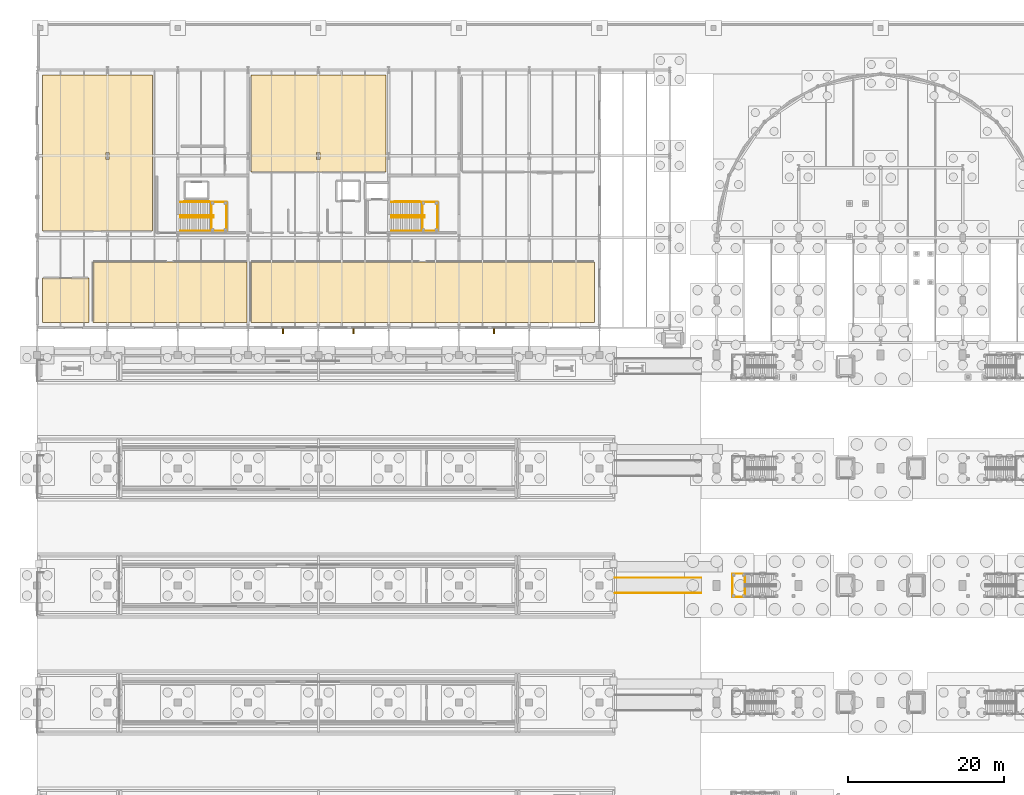
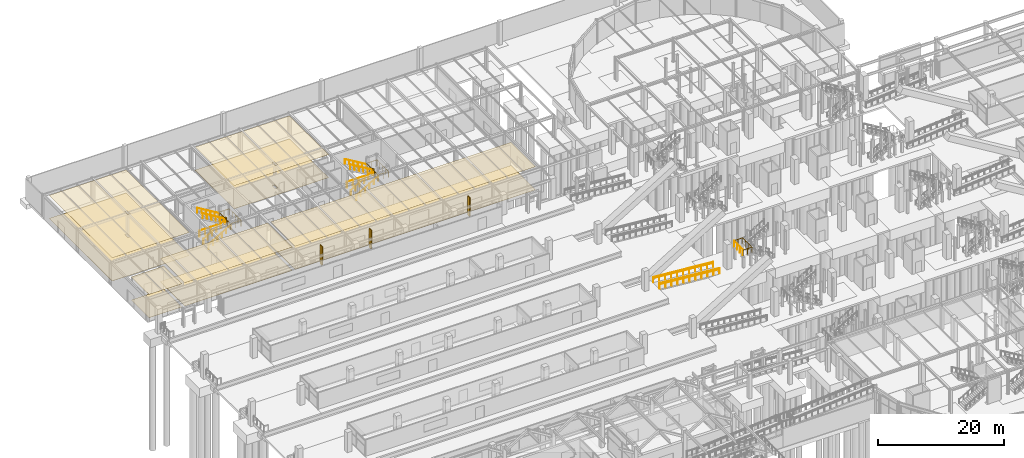
# One storey, part 155 of 160: 20 railings, 10 coverings, 3 shading devices.
"""IFC4 building model written with IfcOpenShell, lengths in metres."""

from ifc_helpers import new_model, si_unit, direction, frame, origin, origin_2d, place, context, subcontext, project, spatial, polyline, rectangle, circle, outline, extrude, material, layer, layer_set, type_object, element, save


model = new_model("IFC4")

# Units and contexts
model_context = context("Model", 3, precision=1e-05, world=origin(), true_north=direction((0.0, 1.0)))
body_context = subcontext(model_context, "Body", "Model", "MODEL_VIEW")
ifc_project = project(units=[si_unit("LENGTHUNIT", "METRE"), si_unit("AREAUNIT", "SQUARE_METRE"), si_unit("VOLUMEUNIT", "CUBIC_METRE"), si_unit("PLANEANGLEUNIT", "RADIAN"), si_unit("MASSUNIT", "GRAM", prefix="KILO")], contexts=[model_context])

# Site, building, storey
site_placement = place(None, origin())
site = spatial("IfcSite", under=ifc_project, at=site_placement, CompositionType="ELEMENT")
building_placement = place(site_placement, origin())
building = spatial("IfcBuilding", under=site, at=building_placement, Name="Marlcrest Central Station", CompositionType="ELEMENT")
storey_placement = place(building_placement, origin())
storey = spatial("IfcBuildingStorey", under=building, at=storey_placement, Name="L00", CompositionType="ELEMENT", Elevation=0.0)

# Coverings
ifc_material_1 = material(Name="Perforated acoustic mineral-fibre ceiling")
ifc_layer_1 = layer(ifc_material_1, 0.02490234375, Name="CV-CLG")
ifc_layer_set_1 = layer_set([ifc_layer_1], Name="Perforated acoustic mineral-fibre ceiling")
covering_type_1 = type_object("IfcCoveringType", Name="CV-CLG", PredefinedType="CEILING", material=ifc_layer_set_1)
covering_1_placement = place(storey_placement, frame((0.0, 0.0, 4.47509765625)))
element("IfcCovering", 1, at=covering_1_placement, inside=storey, type_object=covering_type_1, Name="cov-clg-0058", PredefinedType="CEILING", context=body_context, shape_type="SweptSolid", body=[
    extrude(outline(polyline([(6.639892578125, 99.659912109375), (6.639892578125, 105.340087890625), (0.659912109375, 105.340087890625), (0.659912109375, 99.659912109375), (6.639892578125, 99.659912109375)])), origin(), (0.0, 0.0, 1.0), 0.02490234375),
])
covering_2_placement = place(storey_placement, frame((0.0, 0.0, 4.47509765625)))
element("IfcCovering", 2, at=covering_2_placement, inside=storey, type_object=covering_type_1, Name="cov-clg-0060", PredefinedType="CEILING", context=body_context, shape_type="SweptSolid", body=[
    extrude(outline(polyline([(26.840087890625, 99.659912109375), (26.840087890625, 107.43994140625), (7.159912109375, 107.43994140625), (7.159912109375, 99.659912109375), (26.840087890625, 99.659912109375)])), origin(), (0.0, 0.0, 1.0), 0.02490234375),
])
covering_3_placement = place(storey_placement, frame((0.0, 0.0, 4.47509765625)))
element("IfcCovering", 3, at=covering_3_placement, inside=storey, type_object=covering_type_1, Name="cov-clg-0062", PredefinedType="CEILING", context=body_context, shape_type="SweptSolid", body=[
    extrude(outline(polyline([(71.340087890625, 99.659912109375), (71.340087890625, 107.43994140625), (27.360107421875, 107.43994140625), (27.360107421875, 99.659912109375), (71.340087890625, 99.659912109375)])), origin(), (0.0, 0.0, 1.0), 0.02490234375),
])
covering_4_placement = place(storey_placement, frame((0.0, 0.0, 4.47509765625)))
element("IfcCovering", 4, at=covering_4_placement, inside=storey, type_object=covering_type_1, Name="cov-clg-0064", PredefinedType="CEILING", context=body_context, shape_type="SweptSolid", body=[
    extrude(outline(polyline([(0.659912109375, 111.360107421875), (0.659912109375, 131.340087890625), (14.739990234375, 131.340087890625), (14.739990234375, 111.360107421875), (0.659912109375, 111.360107421875)]), holes=[polyline([(9.2099609375, 121.4599609375), (8.7900390625, 121.4599609375), (8.7900390625, 120.5400390625), (9.2099609375, 120.5400390625), (9.2099609375, 121.4599609375)])]), origin(), (0.0, 0.0, 1.0), 0.02490234375),
])
covering_5_placement = place(storey_placement, frame((0.0, 0.0, 4.47509765625)))
element("IfcCovering", 5, at=covering_5_placement, inside=storey, type_object=covering_type_1, Name="cov-clg-0066", PredefinedType="CEILING", context=body_context, shape_type="SweptSolid", body=[
    extrude(outline(polyline([(27.360107421875, 118.9599609375), (27.360107421875, 131.340087890625), (44.639892578125, 131.340087890625), (44.639892578125, 118.9599609375), (27.360107421875, 118.9599609375)]), holes=[polyline([(36.2099609375, 121.4599609375), (35.7900390625, 121.4599609375), (35.7900390625, 120.5400390625), (36.2099609375, 120.5400390625), (36.2099609375, 121.4599609375)])]), origin(), (0.0, 0.0, 1.0), 0.02490234375),
])
ifc_material_2 = material(Name="Polished terrazzo and tactile transit flooring")
ifc_layer_2 = layer(ifc_material_2, 0.030029296875, Name="CV-FLR")
ifc_layer_set_2 = layer_set([ifc_layer_2], Name="Polished terrazzo and tactile transit flooring")
covering_type_2 = type_object("IfcCoveringType", Name="CV-FLR", PredefinedType="FLOORING", material=ifc_layer_set_2)
covering_6_placement = place(storey_placement, origin())
element("IfcCovering", 6, at=covering_6_placement, inside=storey, type_object=covering_type_2, Name="cov-flr-0059", PredefinedType="FLOORING", context=body_context, shape_type="SweptSolid", body=[
    extrude(outline(polyline([(6.639892578125, 99.659912109375), (6.639892578125, 105.340087890625), (0.659912109375, 105.340087890625), (0.659912109375, 99.659912109375), (6.639892578125, 99.659912109375)])), origin(), (0.0, 0.0, 1.0), 0.030029296875),
])
covering_7_placement = place(storey_placement, origin())
element("IfcCovering", 7, at=covering_7_placement, inside=storey, type_object=covering_type_2, Name="cov-flr-0061", PredefinedType="FLOORING", context=body_context, shape_type="SweptSolid", body=[
    extrude(outline(polyline([(26.840087890625, 99.659912109375), (26.840087890625, 107.43994140625), (7.159912109375, 107.43994140625), (7.159912109375, 99.659912109375), (26.840087890625, 99.659912109375)])), origin(), (0.0, 0.0, 1.0), 0.030029296875),
])
covering_8_placement = place(storey_placement, origin())
element("IfcCovering", 8, at=covering_8_placement, inside=storey, type_object=covering_type_2, Name="cov-flr-0063", PredefinedType="FLOORING", context=body_context, shape_type="SweptSolid", body=[
    extrude(outline(polyline([(71.340087890625, 99.659912109375), (71.340087890625, 107.43994140625), (27.360107421875, 107.43994140625), (27.360107421875, 99.659912109375), (71.340087890625, 99.659912109375)])), origin(), (0.0, 0.0, 1.0), 0.030029296875),
])
covering_9_placement = place(storey_placement, origin())
element("IfcCovering", 9, at=covering_9_placement, inside=storey, type_object=covering_type_2, Name="cov-flr-0065", PredefinedType="FLOORING", context=body_context, shape_type="SweptSolid", body=[
    extrude(outline(polyline([(0.659912109375, 111.360107421875), (0.659912109375, 131.340087890625), (14.739990234375, 131.340087890625), (14.739990234375, 111.360107421875), (0.659912109375, 111.360107421875)]), holes=[polyline([(9.2099609375, 121.4599609375), (8.7900390625, 121.4599609375), (8.7900390625, 120.5400390625), (9.2099609375, 120.5400390625), (9.2099609375, 121.4599609375)])]), origin(), (0.0, 0.0, 1.0), 0.030029296875),
])
covering_10_placement = place(storey_placement, origin())
element("IfcCovering", 10, at=covering_10_placement, inside=storey, type_object=covering_type_2, Name="cov-flr-0067", PredefinedType="FLOORING", context=body_context, shape_type="SweptSolid", body=[
    extrude(outline(polyline([(27.360107421875, 118.9599609375), (27.360107421875, 131.340087890625), (44.639892578125, 131.340087890625), (44.639892578125, 118.9599609375), (27.360107421875, 118.9599609375)]), holes=[polyline([(36.2099609375, 121.4599609375), (35.7900390625, 121.4599609375), (35.7900390625, 120.5400390625), (36.2099609375, 120.5400390625), (36.2099609375, 121.4599609375)])]), origin(), (0.0, 0.0, 1.0), 0.030029296875),
])

# Railings
ifc_material_3 = material(Name="Stainless steel and laminated glass concourse balustrade", Category="steel")
railing_type_1 = type_object("IfcRailingType", Name="GR-02", PredefinedType="BALUSTRADE", material=ifc_material_3)
for number, where, name in (
    (11, (85.0, 65.010009765625, 0.0), "hr-L00-00076"),
    (12, (85.0, 66.989990234375, 0.0), "hr-L00-00078"),
):
    element("IfcRailing", number, at=place(storey_placement, frame(where)), inside=storey, type_object=railing_type_1, Name=name, PredefinedType="BALUSTRADE", context=body_context, shape_type="SweptSolid", body=[
        extrude(circle(Radius=0.02392578125, at=origin_2d()), frame((0.0, 0.0, 1.09619140625), z_axis=(-0.996557950635, 0.0, 0.082899041171), x_axis=(0.0, -1.0, 0.0)), (0.0, 0.0, 1.0), 11.0380859375),
        extrude(circle(Radius=0.02099609375, at=origin_2d()), origin(), (0.0, 0.0, 1.0), 1.072021484375),
        extrude(circle(Radius=0.02099609375, at=origin_2d()), frame((-1.10009765625, 0.0, 0.091552734375)), (0.0, 0.0, 1.0), 1.072021484375),
        extrude(circle(Radius=0.02099609375, at=origin_2d()), frame((-2.199951171875, 0.0, 0.18310546875)), (0.0, 0.0, 1.0), 1.072021484375),
        extrude(circle(Radius=0.02099609375, at=origin_2d()), frame((-3.300048828125, 0.0, 0.2744140625)), (0.0, 0.0, 1.0), 1.072021484375),
        extrude(circle(Radius=0.02099609375, at=origin_2d()), frame((-4.39990234375, 0.0, 0.365966796875)), (0.0, 0.0, 1.0), 1.072021484375),
        extrude(circle(Radius=0.02099609375, at=origin_2d()), frame((-5.5, 0.0, 0.45751953125)), (0.0, 0.0, 1.0), 1.072021484375),
        extrude(circle(Radius=0.02099609375, at=origin_2d()), frame((-6.60009765625, 0.0, 0.549072265625)), (0.0, 0.0, 1.0), 1.072021484375),
        extrude(circle(Radius=0.02099609375, at=origin_2d()), frame((-7.699951171875, 0.0, 0.640625)), (0.0, 0.0, 1.0), 1.072021484375),
        extrude(circle(Radius=0.02099609375, at=origin_2d()), frame((-8.800048828125, 0.0, 0.73193359375)), (0.0, 0.0, 1.0), 1.072021484375),
        extrude(circle(Radius=0.02099609375, at=origin_2d()), frame((-9.89990234375, 0.0, 0.823486328125)), (0.0, 0.0, 1.0), 1.072021484375),
        extrude(circle(Radius=0.02099609375, at=origin_2d()), frame((-11.0, 0.0, 0.9150390625)), (0.0, 0.0, 1.0), 1.072021484375),
    ])
railing_1_placement = place(storey_placement, frame((89.030029296875, 64.510009765625, 2.39990234375)))
element("IfcRailing", 13, at=railing_1_placement, inside=storey, type_object=railing_type_1, Name="hr-L00-00079", PredefinedType="BALUSTRADE", context=body_context, shape_type="SweptSolid", body=[
    extrude(circle(Radius=0.02392578125, at=origin_2d()), frame((0.0, 0.0, 1.09619140625), z_axis=(1.0, 0.0, 0.0), x_axis=(0.0, 1.0, 0.0)), (0.0, 0.0, 1.0), 1.599853515625),
    extrude(circle(Radius=0.02392578125, at=origin_2d()), frame((1.599853515625, 0.0, 1.09619140625), z_axis=(0.0, 1.0, 0.0), x_axis=(-1.0, 0.0, 0.0)), (0.0, 0.0, 1.0), 2.97998046875),
    extrude(circle(Radius=0.02392578125, at=origin_2d()), frame((1.599853515625, 2.97998046875, 1.09619140625), z_axis=(-1.0, 0.0, 0.0), x_axis=(0.0, -1.0, 0.0)), (0.0, 0.0, 1.0), 1.599853515625),
    extrude(circle(Radius=0.02099609375, at=origin_2d()), origin(), (0.0, 0.0, 1.0), 1.072021484375),
    extrude(circle(Radius=0.02099609375, at=origin_2d()), frame((0.7998046875, 0.0, 0.0)), (0.0, 0.0, 1.0), 1.072021484375),
    extrude(circle(Radius=0.02099609375, at=origin_2d()), frame((1.599853515625, 0.0, 0.0)), (0.0, 0.0, 1.0), 1.072021484375),
    extrude(circle(Radius=0.02099609375, at=origin_2d()), frame((1.599853515625, 0.993408203125, 0.0)), (0.0, 0.0, 1.0), 1.072021484375),
    extrude(circle(Radius=0.02099609375, at=origin_2d()), frame((1.599853515625, 1.986572265625, 0.0)), (0.0, 0.0, 1.0), 1.072021484375),
    extrude(circle(Radius=0.02099609375, at=origin_2d()), frame((1.599853515625, 2.97998046875, 0.0)), (0.0, 0.0, 1.0), 1.072021484375),
    extrude(circle(Radius=0.02099609375, at=origin_2d()), frame((0.7998046875, 2.97998046875, 0.0)), (0.0, 0.0, 1.0), 1.072021484375),
    extrude(circle(Radius=0.02099609375, at=origin_2d()), frame((0.0, 2.97998046875, 0.0)), (0.0, 0.0, 1.0), 1.072021484375),
])
for number, where, name in (
    (14, (22.320068359375, 111.409912109375, 2.39990234375), "hr-L00-00240"),
    (15, (49.320068359375, 111.409912109375, 2.39990234375), "hr-L00-00245"),
):
    element("IfcRailing", number, at=place(storey_placement, frame(where)), inside=storey, type_object=railing_type_1, Name=name, PredefinedType="BALUSTRADE", context=body_context, shape_type="SweptSolid", body=[
        extrude(circle(Radius=0.02392578125, at=origin_2d()), frame((0.0, 0.0, 1.09619140625), z_axis=(1.0, 0.0, 0.0), x_axis=(0.0, 1.0, 0.0)), (0.0, 0.0, 1.0), 1.919921875),
        extrude(circle(Radius=0.02392578125, at=origin_2d()), frame((1.919921875, 0.0, 1.09619140625), z_axis=(0.0, 1.0, 0.0), x_axis=(-1.0, 0.0, 0.0)), (0.0, 0.0, 1.0), 3.68017578125),
        extrude(circle(Radius=0.02392578125, at=origin_2d()), frame((1.919921875, 3.68017578125, 1.09619140625), z_axis=(-1.0, 0.0, 0.0), x_axis=(0.0, -1.0, 0.0)), (0.0, 0.0, 1.0), 1.919921875),
        extrude(circle(Radius=0.02099609375, at=origin_2d()), origin(), (0.0, 0.0, 1.0), 1.072021484375),
        extrude(circle(Radius=0.02099609375, at=origin_2d()), frame((0.9599609375, 0.0, 0.0)), (0.0, 0.0, 1.0), 1.072021484375),
        extrude(circle(Radius=0.02099609375, at=origin_2d()), frame((1.919921875, 0.0, 0.0)), (0.0, 0.0, 1.0), 1.072021484375),
        extrude(circle(Radius=0.02099609375, at=origin_2d()), frame((1.919921875, 0.919921875, 0.0)), (0.0, 0.0, 1.0), 1.072021484375),
        extrude(circle(Radius=0.02099609375, at=origin_2d()), frame((1.919921875, 1.840087890625, 0.0)), (0.0, 0.0, 1.0), 1.072021484375),
        extrude(circle(Radius=0.02099609375, at=origin_2d()), frame((1.919921875, 2.76025390625, 0.0)), (0.0, 0.0, 1.0), 1.072021484375),
        extrude(circle(Radius=0.02099609375, at=origin_2d()), frame((1.919921875, 3.68017578125, 0.0)), (0.0, 0.0, 1.0), 1.072021484375),
        extrude(circle(Radius=0.02099609375, at=origin_2d()), frame((0.9599609375, 3.68017578125, 0.0)), (0.0, 0.0, 1.0), 1.072021484375),
        extrude(circle(Radius=0.02099609375, at=origin_2d()), frame((0.0, 3.68017578125, 0.0)), (0.0, 0.0, 1.0), 1.072021484375),
    ])
for number, where, name in (
    (16, (48.991943359375, 115.159912109375, 0.0), "hr-L00-00312"),
    (17, (21.991943359375, 115.159912109375, 0.0), "hr-L00-00313"),
):
    element("IfcRailing", number, at=place(storey_placement, frame(where)), inside=storey, type_object=railing_type_1, Name=name, PredefinedType="BALUSTRADE", context=body_context, shape_type="SweptSolid", body=[
        extrude(circle(Radius=0.02392578125, at=origin_2d()), frame((0.0, 0.0, 1.09619140625), z_axis=(-1.0, 0.0, 0.0), x_axis=(0.0, -1.0, 0.0)), (0.0, 0.0, 1.0), 3.171875),
        extrude(circle(Radius=0.02099609375, at=origin_2d()), origin(), (0.0, 0.0, 1.0), 1.072021484375),
        extrude(circle(Radius=0.02099609375, at=origin_2d()), frame((-1.057373046875, 0.0, 0.0)), (0.0, 0.0, 1.0), 1.072021484375),
        extrude(circle(Radius=0.02099609375, at=origin_2d()), frame((-2.114501953125, 0.0, 0.0)), (0.0, 0.0, 1.0), 1.072021484375),
        extrude(circle(Radius=0.02099609375, at=origin_2d()), frame((-3.171875, 0.0, 0.0)), (0.0, 0.0, 1.0), 1.072021484375),
    ])
railing_2_placement = place(storey_placement, frame((89.050048828125, 64.64990234375, 2.39990234375)))
element("IfcRailing", 18, at=railing_2_placement, inside=storey, type_object=railing_type_1, Name="hr-L00-00577", PredefinedType="BALUSTRADE", context=body_context, shape_type="SweptSolid", body=[
    extrude(circle(Radius=0.02392578125, at=origin_2d()), frame((0.0, 0.0, 1.09619140625), z_axis=(0.0, 1.0, 0.0), x_axis=(-1.0, 0.0, 0.0)), (0.0, 0.0, 1.0), 2.7001953125),
    extrude(circle(Radius=0.02099609375, at=origin_2d()), origin(), (0.0, 0.0, 1.0), 1.072021484375),
    extrude(circle(Radius=0.02099609375, at=origin_2d()), frame((0.0, 0.900146484375, 0.0)), (0.0, 0.0, 1.0), 1.072021484375),
    extrude(circle(Radius=0.02099609375, at=origin_2d()), frame((0.0, 1.800048828125, 0.0)), (0.0, 0.0, 1.0), 1.072021484375),
    extrude(circle(Radius=0.02099609375, at=origin_2d()), frame((0.0, 2.7001953125, 0.0)), (0.0, 0.0, 1.0), 1.072021484375),
])
railing_3_placement = place(storey_placement, frame((22.340087890625, 111.659912109375, 2.39990234375)))
element("IfcRailing", 19, at=railing_3_placement, inside=storey, type_object=railing_type_1, Name="hr-L00-00600", PredefinedType="BALUSTRADE", context=body_context, shape_type="SweptSolid", body=[
    extrude(circle(Radius=0.02392578125, at=origin_2d()), frame((0.0, 0.0, 1.09619140625), z_axis=(0.0, 1.0, 0.0), x_axis=(-1.0, 0.0, 0.0)), (0.0, 0.0, 1.0), 1.469970703125),
    extrude(circle(Radius=0.02392578125, at=origin_2d()), frame((0.0, 1.469970703125, 1.09619140625), z_axis=(1.0, 0.0, 0.0), x_axis=(0.0, 1.0, 0.0)), (0.0, 0.0, 1.0), 0.25),
    extrude(circle(Radius=0.02392578125, at=origin_2d()), frame((0.25, 1.469970703125, 1.09619140625), z_axis=(0.0, 1.0, 0.0), x_axis=(-1.0, 0.0, 0.0)), (0.0, 0.0, 1.0), 0.240234375),
    extrude(circle(Radius=0.02392578125, at=origin_2d()), frame((0.25, 1.710205078125, 1.09619140625), z_axis=(-1.0, 0.0, 0.0), x_axis=(0.0, -1.0, 0.0)), (0.0, 0.0, 1.0), 0.25),
    extrude(circle(Radius=0.02392578125, at=origin_2d()), frame((0.0, 1.710205078125, 1.09619140625), z_axis=(0.0, 1.0, 0.0), x_axis=(-1.0, 0.0, 0.0)), (0.0, 0.0, 1.0), 1.469970703125),
    extrude(circle(Radius=0.02099609375, at=origin_2d()), origin(), (0.0, 0.0, 1.0), 1.072021484375),
    extrude(circle(Radius=0.02099609375, at=origin_2d()), frame((0.0, 0.73486328125, 0.0)), (0.0, 0.0, 1.0), 1.072021484375),
    extrude(circle(Radius=0.02099609375, at=origin_2d()), frame((0.0, 1.469970703125, 0.0)), (0.0, 0.0, 1.0), 1.072021484375),
    extrude(circle(Radius=0.02099609375, at=origin_2d()), frame((0.25, 1.469970703125, 0.0)), (0.0, 0.0, 1.0), 1.072021484375),
    extrude(circle(Radius=0.02099609375, at=origin_2d()), frame((0.25, 1.710205078125, 0.0)), (0.0, 0.0, 1.0), 1.072021484375),
    extrude(circle(Radius=0.02099609375, at=origin_2d()), frame((0.0, 1.710205078125, 0.0)), (0.0, 0.0, 1.0), 1.072021484375),
    extrude(circle(Radius=0.02099609375, at=origin_2d()), frame((0.0, 2.4453125, 0.0)), (0.0, 0.0, 1.0), 1.072021484375),
    extrude(circle(Radius=0.02099609375, at=origin_2d()), frame((0.0, 3.18017578125, 0.0)), (0.0, 0.0, 1.0), 1.072021484375),
])
railing_4_placement = place(storey_placement, frame((49.340087890625, 111.659912109375, 2.39990234375)))
element("IfcRailing", 20, at=railing_4_placement, inside=storey, type_object=railing_type_1, Name="hr-L00-00601", PredefinedType="BALUSTRADE", context=body_context, shape_type="SweptSolid", body=[
    extrude(circle(Radius=0.02392578125, at=origin_2d()), frame((0.0, 0.0, 1.09619140625), z_axis=(0.0, 1.0, 0.0), x_axis=(-1.0, 0.0, 0.0)), (0.0, 0.0, 1.0), 1.469970703125),
    extrude(circle(Radius=0.02392578125, at=origin_2d()), frame((0.0, 1.469970703125, 1.09619140625), z_axis=(1.0, 0.0, 0.0), x_axis=(0.0, 1.0, 0.0)), (0.0, 0.0, 1.0), 0.25),
    extrude(circle(Radius=0.02392578125, at=origin_2d()), frame((0.25, 1.469970703125, 1.09619140625), z_axis=(0.0, 1.0, 0.0), x_axis=(-1.0, 0.0, 0.0)), (0.0, 0.0, 1.0), 0.240234375),
    extrude(circle(Radius=0.02392578125, at=origin_2d()), frame((0.25, 1.710205078125, 1.09619140625), z_axis=(-1.0, 0.0, 0.0), x_axis=(0.0, -1.0, 0.0)), (0.0, 0.0, 1.0), 0.25),
    extrude(circle(Radius=0.02392578125, at=origin_2d()), frame((0.0, 1.710205078125, 1.09619140625), z_axis=(0.0, 1.0, 0.0), x_axis=(-1.0, 0.0, 0.0)), (0.0, 0.0, 1.0), 1.469970703125),
    extrude(circle(Radius=0.02099609375, at=origin_2d()), origin(), (0.0, 0.0, 1.0), 1.072021484375),
    extrude(circle(Radius=0.02099609375, at=origin_2d()), frame((0.0, 0.73486328125, 0.0)), (0.0, 0.0, 1.0), 1.072021484375),
    extrude(circle(Radius=0.02099609375, at=origin_2d()), frame((0.0, 1.469970703125, 0.0)), (0.0, 0.0, 1.0), 1.072021484375),
    extrude(circle(Radius=0.02099609375, at=origin_2d()), frame((0.25, 1.469970703125, 0.0)), (0.0, 0.0, 1.0), 1.072021484375),
    extrude(circle(Radius=0.02099609375, at=origin_2d()), frame((0.25, 1.710205078125, 0.0)), (0.0, 0.0, 1.0), 1.072021484375),
    extrude(circle(Radius=0.02099609375, at=origin_2d()), frame((0.0, 1.710205078125, 0.0)), (0.0, 0.0, 1.0), 1.072021484375),
    extrude(circle(Radius=0.02099609375, at=origin_2d()), frame((0.0, 2.4453125, 0.0)), (0.0, 0.0, 1.0), 1.072021484375),
    extrude(circle(Radius=0.02099609375, at=origin_2d()), frame((0.0, 3.18017578125, 0.0)), (0.0, 0.0, 1.0), 1.072021484375),
])
ifc_material_4 = material(Name="Brushed stainless steel handrail", Category="steel")
railing_type_2 = type_object("IfcRailingType", Name="HR-01", PredefinedType="HANDRAIL", material=ifc_material_4)
for number, where, name in (
    (21, (85.0, 65.010009765625, 0.0), "hr-L00-00075"),
    (22, (85.0, 66.989990234375, 0.0), "hr-L00-00077"),
):
    element("IfcRailing", number, at=place(storey_placement, frame(where)), inside=storey, type_object=railing_type_2, Name=name, PredefinedType="HANDRAIL", context=body_context, shape_type="SweptSolid", body=[
        extrude(circle(Radius=0.02392578125, at=origin_2d()), frame((0.0, 0.0, 0.89599609375), z_axis=(-0.996557950635, 0.0, 0.082899041171), x_axis=(0.0, -1.0, 0.0)), (0.0, 0.0, 1.0), 11.0380859375),
        extrude(circle(Radius=0.02099609375, at=origin_2d()), origin(), (0.0, 0.0, 1.0), 0.871826171875),
        extrude(circle(Radius=0.02099609375, at=origin_2d()), frame((-1.10009765625, 0.0, 0.091552734375)), (0.0, 0.0, 1.0), 0.871826171875),
        extrude(circle(Radius=0.02099609375, at=origin_2d()), frame((-2.199951171875, 0.0, 0.18310546875)), (0.0, 0.0, 1.0), 0.871826171875),
        extrude(circle(Radius=0.02099609375, at=origin_2d()), frame((-3.300048828125, 0.0, 0.2744140625)), (0.0, 0.0, 1.0), 0.871826171875),
        extrude(circle(Radius=0.02099609375, at=origin_2d()), frame((-4.39990234375, 0.0, 0.365966796875)), (0.0, 0.0, 1.0), 0.871826171875),
        extrude(circle(Radius=0.02099609375, at=origin_2d()), frame((-5.5, 0.0, 0.45751953125)), (0.0, 0.0, 1.0), 0.871826171875),
        extrude(circle(Radius=0.02099609375, at=origin_2d()), frame((-6.60009765625, 0.0, 0.549072265625)), (0.0, 0.0, 1.0), 0.871826171875),
        extrude(circle(Radius=0.02099609375, at=origin_2d()), frame((-7.699951171875, 0.0, 0.640625)), (0.0, 0.0, 1.0), 0.871826171875),
        extrude(circle(Radius=0.02099609375, at=origin_2d()), frame((-8.800048828125, 0.0, 0.73193359375)), (0.0, 0.0, 1.0), 0.871826171875),
        extrude(circle(Radius=0.02099609375, at=origin_2d()), frame((-9.89990234375, 0.0, 0.823486328125)), (0.0, 0.0, 1.0), 0.871826171875),
        extrude(circle(Radius=0.02099609375, at=origin_2d()), frame((-11.0, 0.0, 0.9150390625)), (0.0, 0.0, 1.0), 0.871826171875),
    ])
railing_5_placement = place(storey_placement, frame((18.3701171875, 111.419921875, 0.0)))
element("IfcRailing", 23, at=railing_5_placement, inside=storey, type_object=railing_type_2, Name="hr-L00-00236", PredefinedType="HANDRAIL", context=body_context, shape_type="SweptSolid", body=[
    extrude(circle(Radius=0.02392578125, at=origin_2d()), frame((0.0, 0.0, 0.89599609375), z_axis=(0.856932605607, 0.0, 0.515428471708), x_axis=(0.0, 1.0, 0.0)), (0.0, 0.0, 1.0), 4.65625),
    extrude(circle(Radius=0.02099609375, at=origin_2d()), origin(), (0.0, 0.0, 1.0), 0.871826171875),
    extrude(circle(Radius=0.02099609375, at=origin_2d()), frame((0.798095703125, 0.0, 0.47998046875)), (0.0, 0.0, 1.0), 0.871826171875),
    extrude(circle(Radius=0.02099609375, at=origin_2d()), frame((1.595947265625, 0.0, 0.9599609375)), (0.0, 0.0, 1.0), 0.871826171875),
    extrude(circle(Radius=0.02099609375, at=origin_2d()), frame((2.39404296875, 0.0, 1.43994140625)), (0.0, 0.0, 1.0), 0.871826171875),
    extrude(circle(Radius=0.02099609375, at=origin_2d()), frame((3.19189453125, 0.0, 1.919921875)), (0.0, 0.0, 1.0), 0.871826171875),
    extrude(circle(Radius=0.02099609375, at=origin_2d()), frame((3.989990234375, 0.0, 2.39990234375)), (0.0, 0.0, 1.0), 0.871826171875),
])
railing_6_placement = place(storey_placement, frame((22.360107421875, 113.3798828125, 2.39990234375)))
element("IfcRailing", 24, at=railing_6_placement, inside=storey, type_object=railing_type_2, Name="hr-L00-00237", PredefinedType="HANDRAIL", context=body_context, shape_type="SweptSolid", body=[
    extrude(circle(Radius=0.02392578125, at=origin_2d()), frame((0.0, 0.0, 0.89599609375), z_axis=(-0.856909445827, 0.0, 0.515466974357), x_axis=(0.0, -1.0, 0.0)), (0.0, 0.0, 1.0), 4.65625),
    extrude(circle(Radius=0.02099609375, at=origin_2d()), origin(), (0.0, 0.0, 1.0), 0.871826171875),
    extrude(circle(Radius=0.02099609375, at=origin_2d()), frame((-0.798095703125, 0.0, 0.47998046875)), (0.0, 0.0, 1.0), 0.871826171875),
    extrude(circle(Radius=0.02099609375, at=origin_2d()), frame((-1.595947265625, 0.0, 0.9599609375)), (0.0, 0.0, 1.0), 0.871826171875),
    extrude(circle(Radius=0.02099609375, at=origin_2d()), frame((-2.39404296875, 0.0, 1.440185546875)), (0.0, 0.0, 1.0), 0.871826171875),
    extrude(circle(Radius=0.02099609375, at=origin_2d()), frame((-3.19189453125, 0.0, 1.920166015625)), (0.0, 0.0, 1.0), 0.871826171875),
    extrude(circle(Radius=0.02099609375, at=origin_2d()), frame((-3.989990234375, 0.0, 2.400146484375)), (0.0, 0.0, 1.0), 0.871826171875),
])
railing_7_placement = place(storey_placement, frame((18.3701171875, 113.1201171875, 0.0)))
element("IfcRailing", 25, at=railing_7_placement, inside=storey, type_object=railing_type_2, Name="hr-L00-00238", PredefinedType="HANDRAIL", context=body_context, shape_type="SweptSolid", body=[
    extrude(circle(Radius=0.02392578125, at=origin_2d()), frame((0.0, 0.0, 0.89599609375), z_axis=(0.856932605607, 0.0, 0.515428471708), x_axis=(0.0, 1.0, 0.0)), (0.0, 0.0, 1.0), 4.65625),
    extrude(circle(Radius=0.02099609375, at=origin_2d()), origin(), (0.0, 0.0, 1.0), 0.871826171875),
    extrude(circle(Radius=0.02099609375, at=origin_2d()), frame((0.798095703125, 0.0, 0.47998046875)), (0.0, 0.0, 1.0), 0.871826171875),
    extrude(circle(Radius=0.02099609375, at=origin_2d()), frame((1.595947265625, 0.0, 0.9599609375)), (0.0, 0.0, 1.0), 0.871826171875),
    extrude(circle(Radius=0.02099609375, at=origin_2d()), frame((2.39404296875, 0.0, 1.43994140625)), (0.0, 0.0, 1.0), 0.871826171875),
    extrude(circle(Radius=0.02099609375, at=origin_2d()), frame((3.19189453125, 0.0, 1.919921875)), (0.0, 0.0, 1.0), 0.871826171875),
    extrude(circle(Radius=0.02099609375, at=origin_2d()), frame((3.989990234375, 0.0, 2.39990234375)), (0.0, 0.0, 1.0), 0.871826171875),
])
railing_8_placement = place(storey_placement, frame((22.360107421875, 115.080078125, 2.39990234375)))
element("IfcRailing", 26, at=railing_8_placement, inside=storey, type_object=railing_type_2, Name="hr-L00-00239", PredefinedType="HANDRAIL", context=body_context, shape_type="SweptSolid", body=[
    extrude(circle(Radius=0.02392578125, at=origin_2d()), frame((0.0, 0.0, 0.89599609375), z_axis=(-0.856909445827, 0.0, 0.515466974357), x_axis=(0.0, -1.0, 0.0)), (0.0, 0.0, 1.0), 4.65625),
    extrude(circle(Radius=0.02099609375, at=origin_2d()), origin(), (0.0, 0.0, 1.0), 0.871826171875),
    extrude(circle(Radius=0.02099609375, at=origin_2d()), frame((-0.798095703125, 0.0, 0.47998046875)), (0.0, 0.0, 1.0), 0.871826171875),
    extrude(circle(Radius=0.02099609375, at=origin_2d()), frame((-1.595947265625, 0.0, 0.9599609375)), (0.0, 0.0, 1.0), 0.871826171875),
    extrude(circle(Radius=0.02099609375, at=origin_2d()), frame((-2.39404296875, 0.0, 1.440185546875)), (0.0, 0.0, 1.0), 0.871826171875),
    extrude(circle(Radius=0.02099609375, at=origin_2d()), frame((-3.19189453125, 0.0, 1.920166015625)), (0.0, 0.0, 1.0), 0.871826171875),
    extrude(circle(Radius=0.02099609375, at=origin_2d()), frame((-3.989990234375, 0.0, 2.400146484375)), (0.0, 0.0, 1.0), 0.871826171875),
])
railing_9_placement = place(storey_placement, frame((45.3701171875, 111.419921875, 0.0)))
element("IfcRailing", 27, at=railing_9_placement, inside=storey, type_object=railing_type_2, Name="hr-L00-00241", PredefinedType="HANDRAIL", context=body_context, shape_type="SweptSolid", body=[
    extrude(circle(Radius=0.02392578125, at=origin_2d()), frame((0.0, 0.0, 0.89599609375), z_axis=(0.856932605607, 0.0, 0.515428471708), x_axis=(0.0, 1.0, 0.0)), (0.0, 0.0, 1.0), 4.65625),
    extrude(circle(Radius=0.02099609375, at=origin_2d()), origin(), (0.0, 0.0, 1.0), 0.871826171875),
    extrude(circle(Radius=0.02099609375, at=origin_2d()), frame((0.798095703125, 0.0, 0.47998046875)), (0.0, 0.0, 1.0), 0.871826171875),
    extrude(circle(Radius=0.02099609375, at=origin_2d()), frame((1.595947265625, 0.0, 0.9599609375)), (0.0, 0.0, 1.0), 0.871826171875),
    extrude(circle(Radius=0.02099609375, at=origin_2d()), frame((2.39404296875, 0.0, 1.43994140625)), (0.0, 0.0, 1.0), 0.871826171875),
    extrude(circle(Radius=0.02099609375, at=origin_2d()), frame((3.19189453125, 0.0, 1.919921875)), (0.0, 0.0, 1.0), 0.871826171875),
    extrude(circle(Radius=0.02099609375, at=origin_2d()), frame((3.989990234375, 0.0, 2.39990234375)), (0.0, 0.0, 1.0), 0.871826171875),
])
railing_10_placement = place(storey_placement, frame((49.360107421875, 113.3798828125, 2.39990234375)))
element("IfcRailing", 28, at=railing_10_placement, inside=storey, type_object=railing_type_2, Name="hr-L00-00242", PredefinedType="HANDRAIL", context=body_context, shape_type="SweptSolid", body=[
    extrude(circle(Radius=0.02392578125, at=origin_2d()), frame((0.0, 0.0, 0.89599609375), z_axis=(-0.856909445827, 0.0, 0.515466974357), x_axis=(0.0, -1.0, 0.0)), (0.0, 0.0, 1.0), 4.65625),
    extrude(circle(Radius=0.02099609375, at=origin_2d()), origin(), (0.0, 0.0, 1.0), 0.871826171875),
    extrude(circle(Radius=0.02099609375, at=origin_2d()), frame((-0.798095703125, 0.0, 0.47998046875)), (0.0, 0.0, 1.0), 0.871826171875),
    extrude(circle(Radius=0.02099609375, at=origin_2d()), frame((-1.595947265625, 0.0, 0.9599609375)), (0.0, 0.0, 1.0), 0.871826171875),
    extrude(circle(Radius=0.02099609375, at=origin_2d()), frame((-2.39404296875, 0.0, 1.440185546875)), (0.0, 0.0, 1.0), 0.871826171875),
    extrude(circle(Radius=0.02099609375, at=origin_2d()), frame((-3.19189453125, 0.0, 1.920166015625)), (0.0, 0.0, 1.0), 0.871826171875),
    extrude(circle(Radius=0.02099609375, at=origin_2d()), frame((-3.989990234375, 0.0, 2.400146484375)), (0.0, 0.0, 1.0), 0.871826171875),
])
railing_11_placement = place(storey_placement, frame((45.3701171875, 113.1201171875, 0.0)))
element("IfcRailing", 29, at=railing_11_placement, inside=storey, type_object=railing_type_2, Name="hr-L00-00243", PredefinedType="HANDRAIL", context=body_context, shape_type="SweptSolid", body=[
    extrude(circle(Radius=0.02392578125, at=origin_2d()), frame((0.0, 0.0, 0.89599609375), z_axis=(0.856932605607, 0.0, 0.515428471708), x_axis=(0.0, 1.0, 0.0)), (0.0, 0.0, 1.0), 4.65625),
    extrude(circle(Radius=0.02099609375, at=origin_2d()), origin(), (0.0, 0.0, 1.0), 0.871826171875),
    extrude(circle(Radius=0.02099609375, at=origin_2d()), frame((0.798095703125, 0.0, 0.47998046875)), (0.0, 0.0, 1.0), 0.871826171875),
    extrude(circle(Radius=0.02099609375, at=origin_2d()), frame((1.595947265625, 0.0, 0.9599609375)), (0.0, 0.0, 1.0), 0.871826171875),
    extrude(circle(Radius=0.02099609375, at=origin_2d()), frame((2.39404296875, 0.0, 1.43994140625)), (0.0, 0.0, 1.0), 0.871826171875),
    extrude(circle(Radius=0.02099609375, at=origin_2d()), frame((3.19189453125, 0.0, 1.919921875)), (0.0, 0.0, 1.0), 0.871826171875),
    extrude(circle(Radius=0.02099609375, at=origin_2d()), frame((3.989990234375, 0.0, 2.39990234375)), (0.0, 0.0, 1.0), 0.871826171875),
])
railing_12_placement = place(storey_placement, frame((49.360107421875, 115.080078125, 2.39990234375)))
element("IfcRailing", 30, at=railing_12_placement, inside=storey, type_object=railing_type_2, Name="hr-L00-00244", PredefinedType="HANDRAIL", context=body_context, shape_type="SweptSolid", body=[
    extrude(circle(Radius=0.02392578125, at=origin_2d()), frame((0.0, 0.0, 0.89599609375), z_axis=(-0.856909445827, 0.0, 0.515466974357), x_axis=(0.0, -1.0, 0.0)), (0.0, 0.0, 1.0), 4.65625),
    extrude(circle(Radius=0.02099609375, at=origin_2d()), origin(), (0.0, 0.0, 1.0), 0.871826171875),
    extrude(circle(Radius=0.02099609375, at=origin_2d()), frame((-0.798095703125, 0.0, 0.47998046875)), (0.0, 0.0, 1.0), 0.871826171875),
    extrude(circle(Radius=0.02099609375, at=origin_2d()), frame((-1.595947265625, 0.0, 0.9599609375)), (0.0, 0.0, 1.0), 0.871826171875),
    extrude(circle(Radius=0.02099609375, at=origin_2d()), frame((-2.39404296875, 0.0, 1.440185546875)), (0.0, 0.0, 1.0), 0.871826171875),
    extrude(circle(Radius=0.02099609375, at=origin_2d()), frame((-3.19189453125, 0.0, 1.920166015625)), (0.0, 0.0, 1.0), 0.871826171875),
    extrude(circle(Radius=0.02099609375, at=origin_2d()), frame((-3.989990234375, 0.0, 2.400146484375)), (0.0, 0.0, 1.0), 0.871826171875),
])

# Shading devices
ifc_material_5 = material(Name="Precast concrete C40/50", Category="concrete")
shading_device_type = type_object("IfcShadingDeviceType", Name="SD-BS1", PredefinedType="USERDEFINED", material=ifc_material_5)
for number, where, z_axis, x_axis, name in (
    (31, (31.5, 98.534912109375, 0.27490234375), (0.0, 0.0, 1.0), (1.0, 0.0, 0.0), "shd-L00-0032"),
    (32, (40.5, 98.534912109375, 0.27490234375), (0.0, 0.0, 1.0), (1.0, 0.0, 0.0), "shd-L00-0033"),
    (33, (58.5, 98.534912109375, 0.27490234375), (0.0, 0.0, 1.0), (1.0, 0.0, 0.0), "shd-L00-0034"),
):
    element("IfcShadingDevice", number, at=place(storey_placement, frame(where, z_axis=z_axis, x_axis=x_axis)), inside=storey, type_object=shading_device_type, Name=name, ObjectType="BRISE_SOLEIL", PredefinedType="USERDEFINED", context=body_context, shape_type="SweptSolid", body=[
        extrude(rectangle(XDim=0.179931640625, YDim=0.64990234375, at=origin_2d()), origin(), (0.0, 0.0, 1.0), 3.60009765625),
    ])

save(model, "model.ifc")
